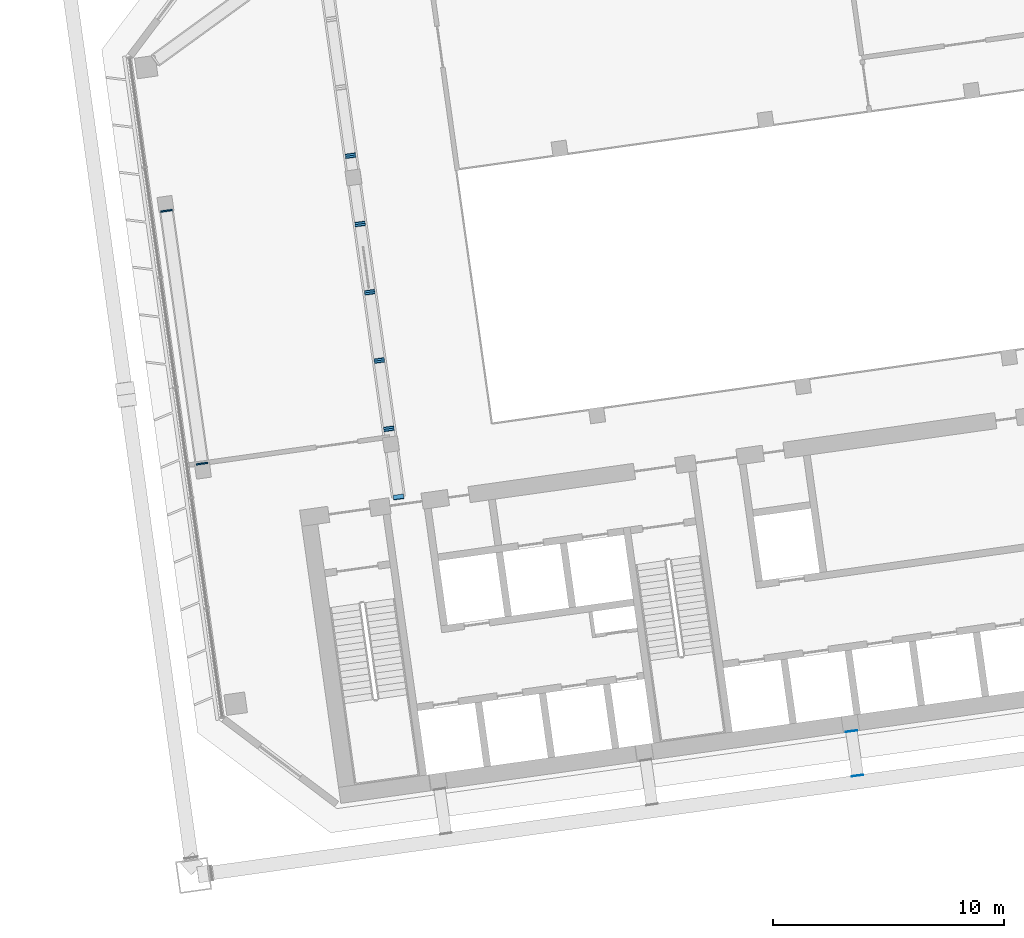
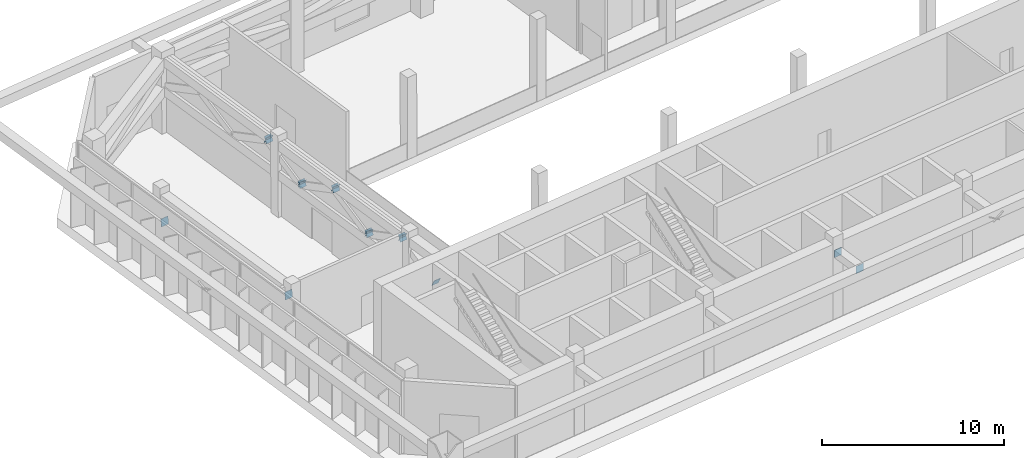
# One storey, part 35 of 41: 15 discrete accessories.
"""IFC4 building model written with IfcOpenShell, lengths in metres."""

from ifc_helpers import new_model, si_unit, direction, frame, origin, origin_2d, place, context, subcontext, project, spatial, rectangle, extrude, material, material_profile, profile_set, type_object, element, save


model = new_model("IFC4")

# Units and contexts
model_context = context("Model", 3, precision=1e-05, world=origin(), true_north=direction((0.0, 1.0)))
body_context = subcontext(model_context, "Body", "Model", "MODEL_VIEW")
ifc_project = project(units=[si_unit("LENGTHUNIT", "METRE"), si_unit("AREAUNIT", "SQUARE_METRE"), si_unit("VOLUMEUNIT", "CUBIC_METRE"), si_unit("PLANEANGLEUNIT", "RADIAN"), si_unit("MASSUNIT", "GRAM", prefix="KILO")], contexts=[model_context])

# Site, building, storey
site_placement = place(None, origin())
site = spatial("IfcSite", under=ifc_project, at=site_placement, CompositionType="ELEMENT")
building_placement = place(site_placement, origin())
building = spatial("IfcBuilding", under=site, at=building_placement, Name="Mirante Cascada Hotel Towers", CompositionType="ELEMENT")
storey_placement = place(building_placement, frame((0.0, 0.0, 151.9)))
storey = spatial("IfcBuildingStorey", under=building, at=storey_placement, Name="L35", CompositionType="ELEMENT", Elevation=151.9)

# Discrete accessories
ifc_material_1 = material(Name="Steel ASTM A572 Gr 50", Category="steel")
ifc_material_profile_1 = material_profile(ifc_material_1, rectangle(XDim=0.45, YDim=0.45, at=origin_2d()), Name="Connection plate 450x450x25 ASTM A572 Gr 50")
ifc_profile_set_1 = profile_set([ifc_material_profile_1], Name="Steel ASTM A572 Gr 50")
discrete_accessory_type_1 = type_object("IfcDiscreteAccessoryType", Name="Connection plate 450x450x25 ASTM A572 Gr 50", PredefinedType="BRACKET", material=ifc_profile_set_1)
for number, where, z_axis, x_axis, name in (
    (1, (39.7681, -6.7279, 3.0948), (-0.1280359, 0.9002521, 0.4161165), (-0.9900373, -0.1408053, 0.0), "Connection plate OR351D"),
    (2, (39.3532, -3.7757, 4.4448), (-0.1280359, 0.9002521, 0.4161165), (-0.9900373, -0.1408053, 0.0), "Connection plate OR351D"),
    (3, (39.3532, -3.7757, 4.4552), (-0.1280359, 0.9002521, -0.4161165), (-0.9900373, -0.1408053, 0.0), "Connection plate OR351D"),
):
    element("IfcDiscreteAccessory", number, at=place(storey_placement, frame(where, z_axis=z_axis, x_axis=x_axis)), inside=storey, type_object=discrete_accessory_type_1, Name=name, PredefinedType="BRACKET", context=body_context, shape_type="SweptSolid", body=[
        extrude(rectangle(XDim=0.45, YDim=0.45, at=origin_2d()), origin(), (0.0, 0.0, 1.0), 0.025),
    ])
for number, where, z_axis, x_axis, name in (
    (4, (38.9382, -0.8235, 3.1052), (-0.1236513, 0.9014579, -0.4148302), (-0.9907232, -0.1358957, 0.0), "Connection plate OR351D"),
    (5, (38.9382, -0.8235, 3.0948), (-0.1236513, 0.9014579, 0.4148302), (-0.9907232, -0.1358957, 0.0), "Connection plate OR351D"),
):
    element("IfcDiscreteAccessory", number, at=place(storey_placement, frame(where, z_axis=z_axis, x_axis=x_axis)), inside=storey, type_object=discrete_accessory_type_1, Name=name, PredefinedType="BRACKET", context=body_context, shape_type="SweptSolid", body=[
        extrude(rectangle(XDim=0.45, YDim=0.45, at=origin_2d()), origin(), (0.0, 0.0, 1.0), 0.0251),
    ])
for number, where, z_axis, x_axis, name in (
    (6, (38.5233, 2.1288, 4.4448), (-0.1240973, 0.9007064, 0.4163265), (-0.9906417, -0.1364884, 0.0), "Connection plate OR351D"),
    (7, (38.5233, 2.1288, 4.4552), (-0.1240973, 0.9007064, -0.4163265), (-0.9906417, -0.1364884, 0.0), "Connection plate OR351D"),
):
    element("IfcDiscreteAccessory", number, at=place(storey_placement, frame(where, z_axis=z_axis, x_axis=x_axis)), inside=storey, type_object=discrete_accessory_type_1, Name=name, PredefinedType="BRACKET", context=body_context, shape_type="SweptSolid", body=[
        extrude(rectangle(XDim=0.45, YDim=0.45, at=origin_2d()), origin(), (0.0, 0.0, 1.0), 0.025),
    ])
for number, where, z_axis, x_axis, name in (
    (8, (38.1084, 5.081, 3.1052), (-0.1236513, 0.9014579, -0.4148302), (-0.9907232, -0.1358957, 0.0), "Connection plate OR351D"),
    (9, (38.1084, 5.081, 3.0948), (-0.1236513, 0.9014579, 0.4148302), (-0.9907232, -0.1358957, 0.0), "Connection plate OR351D"),
    (10, (37.6935, 8.0332, 4.4448), (-0.1275761, 0.9010064, 0.4146224), (-0.990124, -0.1401945, 0.0), "Connection plate OR351D"),
    (11, (37.6935, 8.0332, 4.4552), (-0.1275761, 0.9010064, -0.4146224), (-0.990124, -0.1401945, 0.0), "Connection plate OR351D"),
):
    element("IfcDiscreteAccessory", number, at=place(storey_placement, frame(where, z_axis=z_axis, x_axis=x_axis)), inside=storey, type_object=discrete_accessory_type_1, Name=name, PredefinedType="BRACKET", context=body_context, shape_type="SweptSolid", body=[
        extrude(rectangle(XDim=0.45, YDim=0.45, at=origin_2d()), origin(), (0.0, 0.0, 1.0), 0.0251),
    ])
ifc_material_2 = material(Name="Steel ASTM A572 Gr 50", Category="steel")
ifc_material_profile_2 = material_profile(ifc_material_2, rectangle(XDim=0.5, YDim=0.5, at=origin_2d()), Name="Connection plate 500x500x25 ASTM A572 Gr 50")
ifc_profile_set_2 = profile_set([ifc_material_profile_2], Name="Steel ASTM A572 Gr 50")
discrete_accessory_type_2 = type_object("IfcDiscreteAccessoryType", Name="Connection plate 500x500x25 ASTM A572 Gr 50", PredefinedType="BRACKET", material=ifc_profile_set_2)
for number, where, z_axis, x_axis, name in (
    (12, (31.2699, -5.2877, 4.3514), (-0.1360479, 0.9843466, -0.1120394), (-0.9905835, -0.1369099, 0.0), "Connection plate BT35D"),
    (13, (29.7334, 5.6449, 3.1514), (-0.1360479, 0.9843466, -0.1120394), (-0.9905835, -0.1369099, 0.0), "Connection plate BT35D"),
):
    element("IfcDiscreteAccessory", number, at=place(storey_placement, frame(where, z_axis=z_axis, x_axis=x_axis)), inside=storey, type_object=discrete_accessory_type_2, Name=name, PredefinedType="BRACKET", context=body_context, shape_type="SweptSolid", body=[
        extrude(rectangle(XDim=0.5, YDim=0.5, at=origin_2d()), origin(), (0.0, 0.0, 1.0), 0.025),
    ])
discrete_accessory_1_placement = place(storey_placement, frame((59.3492, -16.8272, 4.35), z_axis=(0.136366, -0.9906585, 0.0), x_axis=(0.9906585, 0.136366, 0.0)))
element("IfcDiscreteAccessory", 14, at=discrete_accessory_1_placement, inside=storey, type_object=discrete_accessory_type_2, Name="Connection plate TIE", PredefinedType="BRACKET", context=body_context, shape_type="SweptSolid", body=[
    extrude(rectangle(XDim=0.5, YDim=0.5, at=origin_2d()), origin(), (0.0, 0.0, 1.0), 0.0249),
])
discrete_accessory_2_placement = place(storey_placement, frame((59.6192, -18.7483, 4.35), z_axis=(0.1358263, -0.9907327, 0.0), x_axis=(0.9907327, 0.1358263, 0.0)))
element("IfcDiscreteAccessory", 15, at=discrete_accessory_2_placement, inside=storey, type_object=discrete_accessory_type_2, Name="Connection plate TIE", PredefinedType="BRACKET", context=body_context, shape_type="SweptSolid", body=[
    extrude(rectangle(XDim=0.5, YDim=0.5, at=origin_2d()), origin(), (0.0, 0.0, 1.0), 0.025),
])

save(model, "model.ifc")
